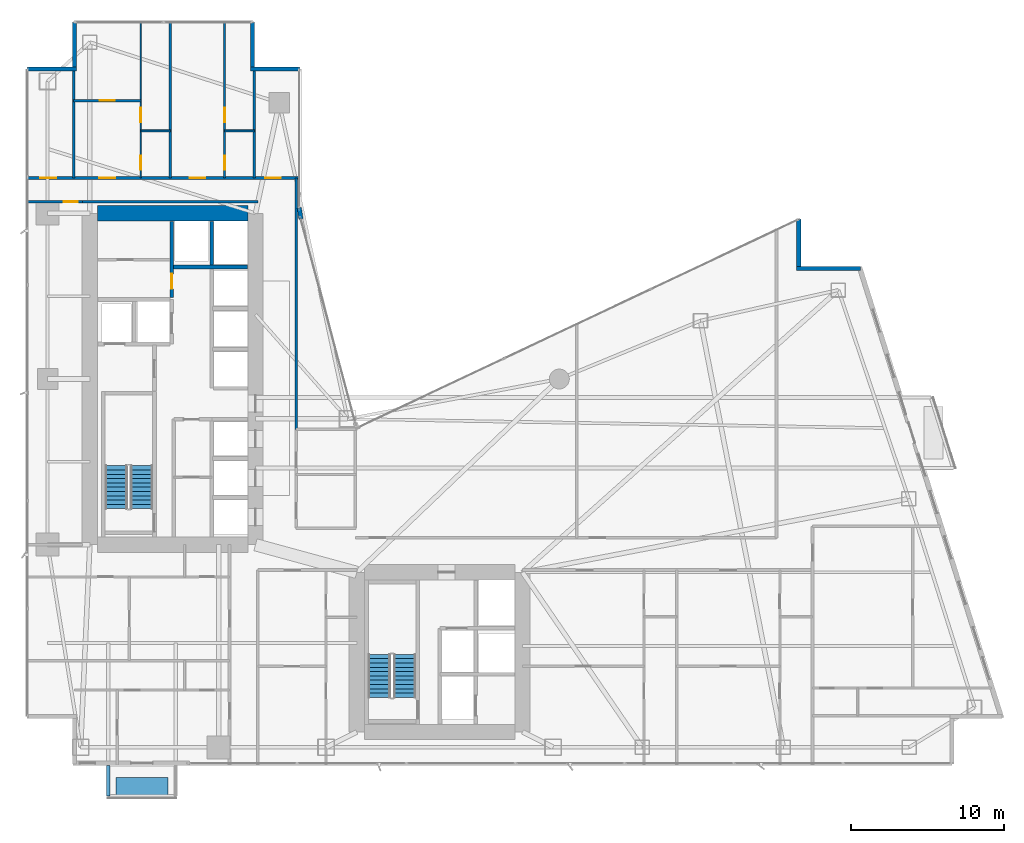
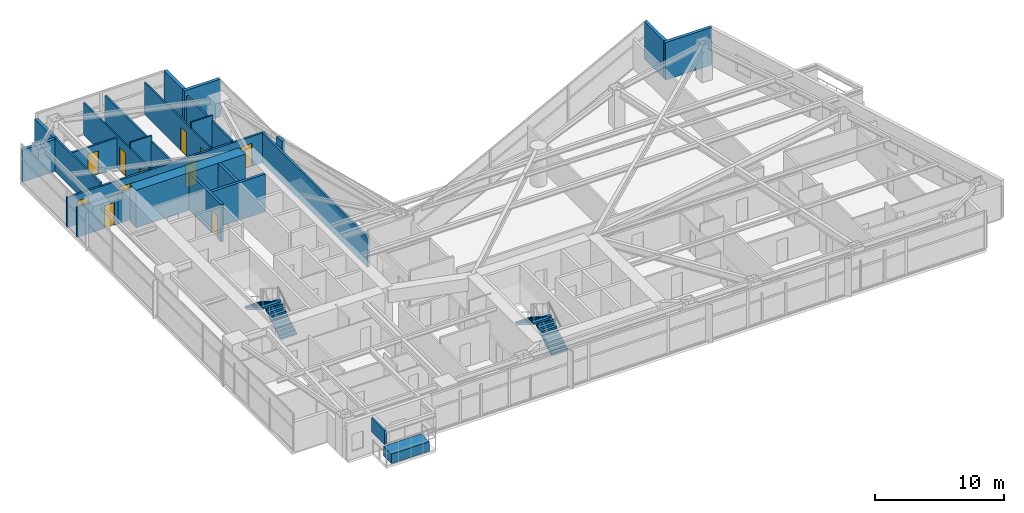
# One storey, part 25 of 29: 23 walls, 11 doors, 4 stair flights, 2 discrete accessories, 11 openings, 2 elements without a shape of their own.
"""IFC4 building model written with IfcOpenShell, lengths in metres."""

from ifc_helpers import new_model, si_unit, direction, frame, frame_2d, origin, origin_2d, place, context, subcontext, project, spatial, polyline, rectangle, outline, extrude, material, layer, layer_set, type_object, element, fill, aggregate, save


model = new_model("IFC4")

# Units and contexts
model_context = context("Model", 3, precision=1e-05, world=origin(), true_north=direction((0.0, 1.0)))
body_context = subcontext(model_context, "Body", "Model", "MODEL_VIEW")
ifc_project = project(units=[si_unit("LENGTHUNIT", "METRE"), si_unit("AREAUNIT", "SQUARE_METRE"), si_unit("VOLUMEUNIT", "CUBIC_METRE"), si_unit("PLANEANGLEUNIT", "RADIAN"), si_unit("MASSUNIT", "GRAM", prefix="KILO")], contexts=[model_context])

# Site, building, storey
site_placement = place(None, origin())
site = spatial("IfcSite", under=ifc_project, at=site_placement, CompositionType="ELEMENT")
building_placement = place(site_placement, origin())
building = spatial("IfcBuilding", under=site, at=building_placement, Name="Calvorn Quay Hotel", CompositionType="ELEMENT")
storey_placement = place(building_placement, frame((0.0, 0.0, 66.0)))
storey = spatial("IfcBuildingStorey", under=building, at=storey_placement, Name="L15", CompositionType="ELEMENT", Elevation=66.0)

# Wall
ifc_material_1 = material(Name="Concrete C60", Category="concrete")
ifc_layer_1 = layer(ifc_material_1, 1.0)
ifc_layer_set_1 = layer_set([ifc_layer_1], Name="WL-CORE-1000")
wall_type_1 = type_object("IfcWallType", Name="WL-CORE-1000", PredefinedType="SHEAR", material=ifc_layer_set_1)
wall_1_placement = place(storey_placement, frame((4.699951171875, 38.39990234375, 0.0), z_axis=(0.0, 0.0, 1.0), x_axis=(1.0, 0.0, 0.0)))
element("IfcWall", 1, at=wall_1_placement, inside=storey, type_object=wall_type_1, Name="West Core Shear Wall N (L15)", PredefinedType="SHEAR", context=body_context, shape_type="SweptSolid", body=[
    extrude(rectangle(XDim=9.800048828125, YDim=1.0, at=frame_2d((4.89990234375, 0.0))), origin(), (0.0, 0.0, 1.0), 3.56005859375),
])

# Wall, opening, door
ifc_material_2 = material(Name="Acoustic Fireboard Steel-Stud Partition", Category="steel")
ifc_layer_2 = layer(ifc_material_2, 0.179931640625)
ifc_layer_set_2 = layer_set([ifc_layer_2], Name="WL-CORR-FIRE-180")
wall_type_2 = type_object("IfcWallType", Name="WL-CORR-FIRE-180", PredefinedType="PARTITIONING", material=ifc_layer_set_2)
wall_2_placement = place(storey_placement, frame((0.080078125, 39.14990234375, 0.0), z_axis=(0.0, 0.0, 1.0), x_axis=(1.0, 0.0, 0.0)))
wall_2 = element("IfcWall", 2, at=wall_2_placement, inside=storey, type_object=wall_type_2, Name="Partition Wall L15-WL-WBAY-N-DOOR", PredefinedType="PARTITIONING", context=body_context, shape_type="SweptSolid", body=[
    extrude(rectangle(XDim=3.64990234375, YDim=0.179931640625, at=frame_2d((1.824951171875, 0.0))), origin(), (0.0, 0.0, 1.0), 2.840087890625),
])
opening_1_placement = place(wall_2_placement, frame((2.429931640625, 0.0, 0.0)))
opening_1 = element("IfcOpeningElement", 3, at=opening_1_placement, cuts=wall_2, Name="Opening D-L15-WBN", PredefinedType="OPENING", context=body_context, shape_type="SweptSolid", body=[
    extrude(rectangle(XDim=0.89990234375, YDim=2.14990234375, at=frame_2d((0.449951171875, 1.074951171875))), frame((0.0, 0.099853515625, 0.0), z_axis=(0.0, -1.0, 0.0), x_axis=(1.0, 0.0, 0.0)), (0.0, 0.0, 1.0), 0.199951171875),
])
ifc_material_3 = material(Name="Moisture-Sealed Timber En-Suite Door", Category="wood")
door_type_1 = type_object("IfcDoorType", Name="DR-ENSUITE-900", OperationType="NOTDEFINED", PredefinedType="DOOR", material=ifc_material_3)
door_1_placement = place(opening_1_placement, origin())
door_1 = element("IfcDoor", 4, at=door_1_placement, inside=storey, type_object=door_type_1, Name="West North Bay Door (L15)", OperationType="SINGLE_SWING_LEFT", OverallHeight=2.14990234375, OverallWidth=0.89990234375, PredefinedType="DOOR", context=body_context, shape_type="SweptSolid", body=[
    extrude(rectangle(XDim=0.89990234375, YDim=2.14990234375, at=frame_2d((0.449951171875, 1.074951171875))), frame((0.0, 0.02490234375, 0.0), z_axis=(0.0, -1.0, 0.0), x_axis=(1.0, 0.0, 0.0)), (0.0, 0.0, 1.0), 0.050048828125),
])
fill(opening_1, door_1)

# Wall, openings, doors
wall_3_placement = place(storey_placement, frame((0.080078125, 40.699951171875, 0.0), z_axis=(0.0, 0.0, 1.0), x_axis=(1.0, 0.0, 0.0)))
wall_3 = element("IfcWall", 5, at=wall_3_placement, inside=storey, type_object=wall_type_2, Name="Partition Wall L15-WL-CORR-NW-N", PredefinedType="PARTITIONING", context=body_context, shape_type="SweptSolid", body=[
    extrude(rectangle(XDim=17.77001953125, YDim=0.179931640625, at=frame_2d((8.885009765625, 0.0))), origin(), (0.0, 0.0, 1.0), 2.840087890625),
])
opening_2_placement = place(wall_3_placement, frame((0.89990234375, 0.0, 0.0)))
opening_2 = element("IfcOpeningElement", 6, at=opening_2_placement, cuts=wall_3, Name="Opening D-L15-NWW", PredefinedType="OPENING", context=body_context, shape_type="SweptSolid", body=[
    extrude(rectangle(XDim=1.02001953125, YDim=2.199951171875, at=frame_2d((0.510009765625, 1.10009765625))), frame((0.0, 0.099853515625, 0.0), z_axis=(0.0, -1.0, 0.0), x_axis=(1.0, 0.0, 0.0)), (0.0, 0.0, 1.0), 0.199951171875),
])
opening_3_placement = place(wall_3_placement, frame((4.75, 0.0, 0.0)))
opening_3 = element("IfcOpeningElement", 7, at=opening_3_placement, cuts=wall_3, Name="Opening D-L15-U04", PredefinedType="OPENING", context=body_context, shape_type="SweptSolid", body=[
    extrude(rectangle(XDim=1.02001953125, YDim=2.199951171875, at=frame_2d((0.510009765625, 1.10009765625))), frame((0.0, 0.099853515625, 0.0), z_axis=(0.0, -1.0, 0.0), x_axis=(1.0, 0.0, 0.0)), (0.0, 0.0, 1.0), 0.199951171875),
])
opening_4_placement = place(wall_3_placement, frame((10.6298828125, 0.0, 0.0)))
opening_4 = element("IfcOpeningElement", 8, at=opening_4_placement, cuts=wall_3, Name="Opening D-L15-U05", PredefinedType="OPENING", context=body_context, shape_type="SweptSolid", body=[
    extrude(rectangle(XDim=1.02001953125, YDim=2.199951171875, at=frame_2d((0.510009765625, 1.10009765625))), frame((0.0, 0.099853515625, 0.0), z_axis=(0.0, -1.0, 0.0), x_axis=(1.0, 0.0, 0.0)), (0.0, 0.0, 1.0), 0.199951171875),
])
opening_5_placement = place(wall_3_placement, frame((15.550048828125, 0.0, 0.0)))
opening_5 = element("IfcOpeningElement", 9, at=opening_5_placement, cuts=wall_3, Name="Opening D-L15-NWE", PredefinedType="OPENING", context=body_context, shape_type="SweptSolid", body=[
    extrude(rectangle(XDim=1.02001953125, YDim=2.199951171875, at=frame_2d((0.510009765625, 1.10009765625))), frame((0.0, 0.099853515625, 0.0), z_axis=(0.0, -1.0, 0.0), x_axis=(1.0, 0.0, 0.0)), (0.0, 0.0, 1.0), 0.199951171875),
])
ifc_material_4 = material(Name="Solid-Core Walnut Veneer Hotel Fire Door")
door_type_2 = type_object("IfcDoorType", Name="DR-GUEST-ENTRY-1020", OperationType="NOTDEFINED", PredefinedType="DOOR", material=ifc_material_4)
door_2_placement = place(opening_2_placement, origin())
door_2 = element("IfcDoor", 10, at=door_2_placement, inside=storey, type_object=door_type_2, Name="West Corner Study Door (L15)", OperationType="SINGLE_SWING_LEFT", OverallHeight=2.199951171875, OverallWidth=1.02001953125, PredefinedType="DOOR", context=body_context, shape_type="SweptSolid", body=[
    extrude(rectangle(XDim=1.02001953125, YDim=2.199951171875, at=frame_2d((0.510009765625, 1.10009765625))), frame((0.0, 0.02490234375, 0.0), z_axis=(0.0, -1.0, 0.0), x_axis=(1.0, 0.0, 0.0)), (0.0, 0.0, 1.0), 0.050048828125),
])
fill(opening_2, door_2)
door_3_placement = place(opening_3_placement, origin())
door_3 = element("IfcDoor", 11, at=door_3_placement, inside=storey, type_object=door_type_2, Name="North-West Unit Door U04 (L15)", OperationType="SINGLE_SWING_RIGHT", OverallHeight=2.199951171875, OverallWidth=1.02001953125, PredefinedType="DOOR", context=body_context, shape_type="SweptSolid", body=[
    extrude(rectangle(XDim=1.02001953125, YDim=2.199951171875, at=frame_2d((0.510009765625, 1.10009765625))), frame((0.0, 0.02490234375, 0.0), z_axis=(0.0, -1.0, 0.0), x_axis=(1.0, 0.0, 0.0)), (0.0, 0.0, 1.0), 0.050048828125),
])
fill(opening_3, door_3)
door_4_placement = place(opening_4_placement, origin())
door_4 = element("IfcDoor", 12, at=door_4_placement, inside=storey, type_object=door_type_2, Name="North-West Unit Door U05 (L15)", OperationType="SINGLE_SWING_LEFT", OverallHeight=2.199951171875, OverallWidth=1.02001953125, PredefinedType="DOOR", context=body_context, shape_type="SweptSolid", body=[
    extrude(rectangle(XDim=1.02001953125, YDim=2.199951171875, at=frame_2d((0.510009765625, 1.10009765625))), frame((0.0, 0.02490234375, 0.0), z_axis=(0.0, -1.0, 0.0), x_axis=(1.0, 0.0, 0.0)), (0.0, 0.0, 1.0), 0.050048828125),
])
fill(opening_4, door_4)
door_5_placement = place(opening_5_placement, origin())
door_5 = element("IfcDoor", 13, at=door_5_placement, inside=storey, type_object=door_type_2, Name="Inner Court Study Door (L15)", OperationType="SINGLE_SWING_RIGHT", OverallHeight=2.199951171875, OverallWidth=1.02001953125, PredefinedType="DOOR", context=body_context, shape_type="SweptSolid", body=[
    extrude(rectangle(XDim=1.02001953125, YDim=2.199951171875, at=frame_2d((0.510009765625, 1.10009765625))), frame((0.0, 0.02490234375, 0.0), z_axis=(0.0, -1.0, 0.0), x_axis=(1.0, 0.0, 0.0)), (0.0, 0.0, 1.0), 0.050048828125),
])
fill(opening_5, door_5)

# Walls
wall_4_placement = place(storey_placement, frame((17.64990234375, 24.300048828125, 0.0), z_axis=(0.0, 0.0, 1.0), x_axis=(0.0, 1.0, 0.0)))
element("IfcWall", 14, at=wall_4_placement, inside=storey, type_object=wall_type_2, Name="Partition Wall L15-WL-NW-CLOSURE-E", PredefinedType="PARTITIONING", context=body_context, shape_type="SweptSolid", body=[
    extrude(rectangle(XDim=16.39990234375, YDim=0.179931640625, at=frame_2d((8.199951171875, 0.0))), origin(), (0.0, 0.0, 1.0), 2.840087890625),
])
wall_5_placement = place(storey_placement, frame((3.679931640625, 39.14990234375, 0.0), z_axis=(0.0, 0.0, 1.0), x_axis=(1.0, 0.0, 0.0)))
element("IfcWall", 15, at=wall_5_placement, inside=storey, type_object=wall_type_2, Name="Partition Wall L15-WL-W-SPUR-S", PredefinedType="PARTITIONING", context=body_context, shape_type="SweptSolid", body=[
    extrude(rectangle(XDim=11.469970703125, YDim=0.179931640625, at=frame_2d((5.73486328125, 0.0))), origin(), (0.0, 0.0, 1.0), 2.840087890625),
])
ifc_material_5 = material(Name="Moisture-Resistant Tile-Backed Partition")
ifc_layer_3 = layer(ifc_material_5, 0.125)
ifc_layer_set_3 = layer_set([ifc_layer_3], Name="WL-ENSUITE-125")
wall_type_3 = type_object("IfcWallType", Name="WL-ENSUITE-125", PredefinedType="PARTITIONING", material=ifc_layer_set_3)
wall_6_placement = place(storey_placement, frame((7.52001953125, 43.77001953125, 0.0), z_axis=(0.0, 0.0, 1.0), x_axis=(1.0, 0.0, 0.0)))
element("IfcWall", 16, at=wall_6_placement, inside=storey, type_object=wall_type_3, Name="Partition Wall L15-WL-U04-BDV", PredefinedType="PARTITIONING", context=body_context, shape_type="SweptSolid", body=[
    extrude(rectangle(XDim=1.929931640625, YDim=0.125, at=frame_2d((0.96484375, 0.0))), origin(), (0.0, 0.0, 1.0), 3.56005859375),
])

# Wall, openings, doors
wall_7_placement = place(storey_placement, frame((7.52001953125, 40.699951171875, 0.0), z_axis=(0.0, 0.0, 1.0), x_axis=(0.0, 1.0, 0.0)))
wall_7 = element("IfcWall", 17, at=wall_7_placement, inside=storey, type_object=wall_type_3, Name="Partition Wall L15-WL-U04-BV", PredefinedType="PARTITIONING", context=body_context, shape_type="SweptSolid", body=[
    extrude(rectangle(XDim=10.239990234375, YDim=0.125, at=frame_2d((5.1201171875, 0.0))), origin(), (0.0, 0.0, 1.0), 3.0400390625),
])
opening_6_placement = place(wall_7_placement, frame((0.550048828125, 0.0, 0.0)))
opening_6 = element("IfcOpeningElement", 18, at=opening_6_placement, cuts=wall_7, Name="Opening D-L15-E04", PredefinedType="OPENING", context=body_context, shape_type="SweptSolid", body=[
    extrude(rectangle(XDim=0.89990234375, YDim=2.14990234375, at=frame_2d((0.449951171875, 1.074951171875))), frame((0.0, 0.072509765625, 0.0), z_axis=(0.0, -1.0, 0.0), x_axis=(1.0, 0.0, 0.0)), (0.0, 0.0, 1.0), 0.14501953125),
])
opening_7_placement = place(wall_7_placement, frame((3.6201171875, 0.0, 0.0)))
opening_7 = element("IfcOpeningElement", 19, at=opening_7_placement, cuts=wall_7, Name="Opening D-L15-S04", PredefinedType="OPENING", context=body_context, shape_type="SweptSolid", body=[
    extrude(rectangle(XDim=0.9599609375, YDim=2.199951171875, at=frame_2d((0.47998046875, 1.10009765625))), frame((0.0, 0.072509765625, 0.0), z_axis=(0.0, -1.0, 0.0), x_axis=(1.0, 0.0, 0.0)), (0.0, 0.0, 1.0), 0.14501953125),
])
door_6_placement = place(opening_6_placement, origin())
door_6 = element("IfcDoor", 20, at=door_6_placement, inside=storey, type_object=door_type_1, Name="En-Suite Door 04", OperationType="SINGLE_SWING_LEFT", OverallHeight=2.14990234375, OverallWidth=0.89990234375, PredefinedType="DOOR", context=body_context, shape_type="SweptSolid", body=[
    extrude(rectangle(XDim=0.89990234375, YDim=2.14990234375, at=frame_2d((0.449951171875, 1.074951171875))), frame((0.0, 0.02490234375, 0.0), z_axis=(0.0, -1.0, 0.0), x_axis=(1.0, 0.0, 0.0)), (0.0, 0.0, 1.0), 0.050048828125),
])
fill(opening_6, door_6)
ifc_material_6 = material(Name="Solid Timber Internal Suite Door", Category="wood")
door_type_3 = type_object("IfcDoorType", Name="DR-SUITE-INT-960", OperationType="NOTDEFINED", PredefinedType="DOOR", material=ifc_material_6)
door_7_placement = place(opening_7_placement, origin())
door_7 = element("IfcDoor", 21, at=door_7_placement, inside=storey, type_object=door_type_3, Name="Spa Therapy Room Door 04", OperationType="SINGLE_SWING_RIGHT", OverallHeight=2.199951171875, OverallWidth=0.9599609375, PredefinedType="DOOR", context=body_context, shape_type="SweptSolid", body=[
    extrude(rectangle(XDim=0.9599609375, YDim=2.199951171875, at=frame_2d((0.47998046875, 1.10009765625))), frame((0.0, 0.02490234375, 0.0), z_axis=(0.0, -1.0, 0.0), x_axis=(1.0, 0.0, 0.0)), (0.0, 0.0, 1.0), 0.050048828125),
])
fill(opening_7, door_7)

# Wall
wall_8_placement = place(storey_placement, frame((12.989990234375, 43.77001953125, 0.0), z_axis=(0.0, 0.0, 1.0), x_axis=(1.0, 0.0, 0.0)))
element("IfcWall", 22, at=wall_8_placement, inside=storey, type_object=wall_type_3, Name="Partition Wall L15-WL-U05-BDV", PredefinedType="PARTITIONING", context=body_context, shape_type="SweptSolid", body=[
    extrude(rectangle(XDim=1.929931640625, YDim=0.125, at=frame_2d((0.96484375, 0.0))), origin(), (0.0, 0.0, 1.0), 3.56005859375),
])

# Wall, openings, doors
wall_9_placement = place(storey_placement, frame((12.989990234375, 40.699951171875, 0.0), z_axis=(0.0, 0.0, 1.0), x_axis=(0.0, 1.0, 0.0)))
wall_9 = element("IfcWall", 23, at=wall_9_placement, inside=storey, type_object=wall_type_3, Name="Partition Wall L15-WL-U05-BV", PredefinedType="PARTITIONING", context=body_context, shape_type="SweptSolid", body=[
    extrude(rectangle(XDim=10.239990234375, YDim=0.125, at=frame_2d((5.1201171875, 0.0))), origin(), (0.0, 0.0, 1.0), 3.0400390625),
])
opening_8_placement = place(wall_9_placement, frame((0.550048828125, 0.0, 0.0)))
opening_8 = element("IfcOpeningElement", 24, at=opening_8_placement, cuts=wall_9, Name="Opening D-L15-E05", PredefinedType="OPENING", context=body_context, shape_type="SweptSolid", body=[
    extrude(rectangle(XDim=0.89990234375, YDim=2.14990234375, at=frame_2d((0.449951171875, 1.074951171875))), frame((0.0, 0.072509765625, 0.0), z_axis=(0.0, -1.0, 0.0), x_axis=(1.0, 0.0, 0.0)), (0.0, 0.0, 1.0), 0.14501953125),
])
opening_9_placement = place(wall_9_placement, frame((3.6201171875, 0.0, 0.0)))
opening_9 = element("IfcOpeningElement", 25, at=opening_9_placement, cuts=wall_9, Name="Opening D-L15-S05", PredefinedType="OPENING", context=body_context, shape_type="SweptSolid", body=[
    extrude(rectangle(XDim=0.9599609375, YDim=2.199951171875, at=frame_2d((0.47998046875, 1.10009765625))), frame((0.0, 0.072509765625, 0.0), z_axis=(0.0, -1.0, 0.0), x_axis=(1.0, 0.0, 0.0)), (0.0, 0.0, 1.0), 0.14501953125),
])
door_8_placement = place(opening_8_placement, origin())
door_8 = element("IfcDoor", 26, at=door_8_placement, inside=storey, type_object=door_type_1, Name="En-Suite Door 05", OperationType="SINGLE_SWING_LEFT", OverallHeight=2.14990234375, OverallWidth=0.89990234375, PredefinedType="DOOR", context=body_context, shape_type="SweptSolid", body=[
    extrude(rectangle(XDim=0.89990234375, YDim=2.14990234375, at=frame_2d((0.449951171875, 1.074951171875))), frame((0.0, 0.02490234375, 0.0), z_axis=(0.0, -1.0, 0.0), x_axis=(1.0, 0.0, 0.0)), (0.0, 0.0, 1.0), 0.050048828125),
])
fill(opening_8, door_8)
door_9_placement = place(opening_9_placement, origin())
door_9 = element("IfcDoor", 27, at=door_9_placement, inside=storey, type_object=door_type_3, Name="Spa Therapy Room Door 05", OperationType="SINGLE_SWING_RIGHT", OverallHeight=2.199951171875, OverallWidth=0.9599609375, PredefinedType="DOOR", context=body_context, shape_type="SweptSolid", body=[
    extrude(rectangle(XDim=0.9599609375, YDim=2.199951171875, at=frame_2d((0.47998046875, 1.10009765625))), frame((0.0, 0.02490234375, 0.0), z_axis=(0.0, -1.0, 0.0), x_axis=(1.0, 0.0, 0.0)), (0.0, 0.0, 1.0), 0.050048828125),
])
fill(opening_9, door_9)

# Walls
ifc_material_7 = material(Name="Concrete C40", Category="concrete")
ifc_layer_4 = layer(ifc_material_7, 0.320068359375)
ifc_layer_set_4 = layer_set([ifc_layer_4], Name="WL-EXT-SPANDREL-320")
wall_type_4 = type_object("IfcWallType", Name="WL-EXT-SPANDREL-320", PredefinedType="SOLIDWALL", material=ifc_layer_set_4)
wall_10_placement = place(storey_placement, frame((17.9619140625, 38.030029296875, 0.0), z_axis=(0.0, 0.0, 1.0), x_axis=(-0.15141125477, 0.988470855377, 0.0)))
element("IfcWall", 28, at=wall_10_placement, inside=storey, type_object=wall_type_4, Name="Inner Court Corner Pier L15-ICJ2", PredefinedType="SOLIDWALL", context=body_context, shape_type="SweptSolid", body=[
    extrude(rectangle(XDim=0.738525390625, YDim=0.280029296875, at=frame_2d((0.369140625, 0.0))), origin(), (0.0, 0.0, 1.0), 3.56005859375),
])
wall_11_placement = place(storey_placement, frame((54.43994140625, 34.800048828125, 0.0), z_axis=(0.0, 0.0, 1.0), x_axis=(-1.0, 0.0, 0.0)))
element("IfcWall", 29, at=wall_11_placement, inside=storey, type_object=wall_type_4, Name="Notched Corner Spandrel L15-NE1", PredefinedType="SOLIDWALL", context=body_context, shape_type="SweptSolid", body=[
    extrude(rectangle(XDim=4.179931640625, YDim=0.280029296875, at=frame_2d((2.08984375, 0.0))), origin(), (0.0, 0.0, 1.0), 3.56005859375),
])
wall_12_placement = place(storey_placement, frame((50.39990234375, 34.93994140625, 0.0), z_axis=(0.0, 0.0, 1.0), x_axis=(0.0, 1.0, 0.0)))
element("IfcWall", 30, at=wall_12_placement, inside=storey, type_object=wall_type_4, Name="Notched Corner Spandrel L15-NE2", PredefinedType="SOLIDWALL", context=body_context, shape_type="SweptSolid", body=[
    extrude(rectangle(XDim=3.10009765625, YDim=0.280029296875, at=frame_2d((1.550048828125, 0.0))), origin(), (0.0, 0.0, 1.0), 3.56005859375),
])
wall_13_placement = place(storey_placement, frame((17.89990234375, 47.800048828125, 0.0), z_axis=(0.0, 0.0, 1.0), x_axis=(-1.0, 0.0, 0.0)))
element("IfcWall", 31, at=wall_13_placement, inside=storey, type_object=wall_type_4, Name="Notched Corner Spandrel L15-NWE1", PredefinedType="SOLIDWALL", context=body_context, shape_type="SweptSolid", body=[
    extrude(rectangle(XDim=3.239990234375, YDim=0.280029296875, at=frame_2d((1.6201171875, 0.0))), origin(), (0.0, 0.0, 1.0), 3.56005859375),
])
wall_14_placement = place(storey_placement, frame((14.800048828125, 47.93994140625, 0.0), z_axis=(0.0, 0.0, 1.0), x_axis=(0.0, 1.0, 0.0)))
element("IfcWall", 32, at=wall_14_placement, inside=storey, type_object=wall_type_4, Name="Notched Corner Spandrel L15-NWE2", PredefinedType="SOLIDWALL", context=body_context, shape_type="SweptSolid", body=[
    extrude(rectangle(XDim=2.93994140625, YDim=0.280029296875, at=frame_2d((1.469970703125, 0.0))), origin(), (0.0, 0.0, 1.0), 3.56005859375),
])
wall_15_placement = place(storey_placement, frame((3.199951171875, 50.8798828125, 0.0), z_axis=(0.0, 0.0, 1.0), x_axis=(0.0, -1.0, 0.0)))
element("IfcWall", 33, at=wall_15_placement, inside=storey, type_object=wall_type_4, Name="Notched Corner Spandrel L15-NW1", PredefinedType="SOLIDWALL", context=body_context, shape_type="SweptSolid", body=[
    extrude(rectangle(XDim=2.93994140625, YDim=0.280029296875, at=frame_2d((1.469970703125, 0.0))), origin(), (0.0, 0.0, 1.0), 3.0400390625),
])
wall_16_placement = place(storey_placement, frame((3.340087890625, 47.800048828125, 0.0), z_axis=(0.0, 0.0, 1.0), x_axis=(-1.0, 0.0, 0.0)))
element("IfcWall", 34, at=wall_16_placement, inside=storey, type_object=wall_type_4, Name="Notched Corner Spandrel L15-NW2", PredefinedType="SOLIDWALL", context=body_context, shape_type="SweptSolid", body=[
    extrude(rectangle(XDim=3.219970703125, YDim=0.280029296875, at=frame_2d((1.60986328125, 0.0))), origin(), (0.0, 0.0, 1.0), 3.0400390625),
])
ifc_material_8 = material(Name="Double-Stud Acoustic Gypsum Partition")
ifc_layer_5 = layer(ifc_material_8, 0.159912109375)
ifc_layer_set_5 = layer_set([ifc_layer_5], Name="WL-INTERSUITE-160")
wall_type_5 = type_object("IfcWallType", Name="WL-INTERSUITE-160", PredefinedType="PARTITIONING", material=ifc_layer_set_5)
wall_17_placement = place(storey_placement, frame((3.14990234375, 40.699951171875, 0.0), z_axis=(0.0, 0.0, 1.0), x_axis=(0.0, 1.0, 0.0)))
element("IfcWall", 35, at=wall_17_placement, inside=storey, type_object=wall_type_5, Name="Partition Wall L15-WL-NW-DIV-W0", PredefinedType="PARTITIONING", context=body_context, shape_type="SweptSolid", body=[
    extrude(rectangle(XDim=7.10009765625, YDim=0.159912109375, at=frame_2d((3.550048828125, 0.0))), origin(), (0.0, 0.0, 1.0), 3.139892578125),
])
wall_18_placement = place(storey_placement, frame((14.919921875, 40.699951171875, 0.0), z_axis=(0.0, 0.0, 1.0), x_axis=(0.0, 1.0, 0.0)))
element("IfcWall", 36, at=wall_18_placement, inside=storey, type_object=wall_type_5, Name="Partition Wall L15-WL-NW-DIV-E0", PredefinedType="PARTITIONING", context=body_context, shape_type="SweptSolid", body=[
    extrude(rectangle(XDim=7.10009765625, YDim=0.159912109375, at=frame_2d((3.550048828125, 0.0))), origin(), (0.0, 0.0, 1.0), 3.0400390625),
])

# Wall, opening, door
wall_19_placement = place(storey_placement, frame((3.14990234375, 45.75, 0.0), z_axis=(0.0, 0.0, 1.0), x_axis=(1.0, 0.0, 0.0)))
wall_19 = element("IfcWall", 37, at=wall_19_placement, inside=storey, type_object=wall_type_5, Name="Partition Wall L15-WL-U04-MSP", PredefinedType="PARTITIONING", context=body_context, shape_type="SweptSolid", body=[
    extrude(rectangle(XDim=4.3701171875, YDim=0.159912109375, at=frame_2d((2.18505859375, 0.0))), origin(), (0.0, 0.0, 1.0), 2.840087890625),
])
opening_10_placement = place(wall_19_placement, frame((1.699951171875, 0.0, 0.0)))
opening_10 = element("IfcOpeningElement", 38, at=opening_10_placement, cuts=wall_19, Name="Opening D-L15-M04", PredefinedType="OPENING", context=body_context, shape_type="SweptSolid", body=[
    extrude(rectangle(XDim=0.9599609375, YDim=2.199951171875, at=frame_2d((0.47998046875, 1.10009765625))), frame((0.0, 0.08984375, 0.0), z_axis=(0.0, -1.0, 0.0), x_axis=(1.0, 0.0, 0.0)), (0.0, 0.0, 1.0), 0.179931640625),
])
door_10_placement = place(opening_10_placement, origin())
door_10 = element("IfcDoor", 39, at=door_10_placement, inside=storey, type_object=door_type_3, Name="Suite Bedroom Door 04", OperationType="SINGLE_SWING_LEFT", OverallHeight=2.199951171875, OverallWidth=0.9599609375, PredefinedType="DOOR", context=body_context, shape_type="SweptSolid", body=[
    extrude(rectangle(XDim=0.9599609375, YDim=2.199951171875, at=frame_2d((0.47998046875, 1.10009765625))), frame((0.0, 0.02490234375, 0.0), z_axis=(0.0, -1.0, 0.0), x_axis=(1.0, 0.0, 0.0)), (0.0, 0.0, 1.0), 0.050048828125),
])
fill(opening_10, door_10)

# Wall
wall_20_placement = place(storey_placement, frame((9.449951171875, 40.699951171875, 0.0), z_axis=(0.0, 0.0, 1.0), x_axis=(0.0, 1.0, 0.0)))
element("IfcWall", 40, at=wall_20_placement, inside=storey, type_object=wall_type_5, Name="Partition Wall L15-WL-NW-DIV-1", PredefinedType="PARTITIONING", context=body_context, shape_type="SweptSolid", body=[
    extrude(rectangle(XDim=10.239990234375, YDim=0.159912109375, at=frame_2d((5.1201171875, 0.0))), origin(), (0.0, 0.0, 1.0), 3.0400390625),
])

# Wall, opening, door
ifc_material_9 = material(Name="Autoclaved Aerated Masonry Block", Category="masonry")
ifc_layer_6 = layer(ifc_material_9, 0.219970703125)
ifc_layer_set_6 = layer_set([ifc_layer_6], Name="WL-LOBBY-FIRE-220")
wall_type_6 = type_object("IfcWallType", Name="WL-LOBBY-FIRE-220", PredefinedType="SOLIDWALL", material=ifc_layer_set_6)
wall_21_placement = place(storey_placement, frame((9.5400390625, 32.919921875, 0.0), z_axis=(0.0, 0.0, 1.0), x_axis=(0.0, 1.0, 0.0)))
wall_21 = element("IfcWall", 41, at=wall_21_placement, inside=storey, type_object=wall_type_6, Name="Partition Wall L15-WL-CWW-K-E", PredefinedType="SOLIDWALL", context=body_context, shape_type="SweptSolid", body=[
    extrude(rectangle(XDim=4.9599609375, YDim=0.219970703125, at=frame_2d((2.47998046875, 0.0))), origin(), (0.0, 0.0, 1.0), 3.56005859375),
])
opening_11_placement = place(wall_21_placement, frame((0.550048828125, 0.0, 0.0)))
opening_11 = element("IfcOpeningElement", 42, at=opening_11_placement, cuts=wall_21, Name="Opening D-L15-CK1", PredefinedType="OPENING", context=body_context, shape_type="SweptSolid", body=[
    extrude(rectangle(XDim=0.97998046875, YDim=2.14990234375, at=frame_2d((0.489990234375, 1.074951171875))), frame((0.0, 0.119873046875, 0.0), z_axis=(0.0, -1.0, 0.0), x_axis=(1.0, 0.0, 0.0)), (0.0, 0.0, 1.0), 0.239990234375),
])
ifc_material_10 = material(Name="Painted Steel Housekeeping/Riser Fire Door", Category="steel")
door_type_4 = type_object("IfcDoorType", Name="DR-SERVICE-980", OperationType="NOTDEFINED", PredefinedType="DOOR", material=ifc_material_10)
door_11_placement = place(opening_11_placement, origin())
door_11 = element("IfcDoor", 43, at=door_11_placement, inside=storey, type_object=door_type_4, Name="Core Housekeeping Door (L15)", OperationType="SINGLE_SWING_LEFT", OverallHeight=2.14990234375, OverallWidth=0.97998046875, PredefinedType="DOOR", context=body_context, shape_type="SweptSolid", body=[
    extrude(rectangle(XDim=0.97998046875, YDim=2.14990234375, at=frame_2d((0.489990234375, 1.074951171875))), frame((0.0, 0.02490234375, 0.0), z_axis=(0.0, -1.0, 0.0), x_axis=(1.0, 0.0, 0.0)), (0.0, 0.0, 1.0), 0.050048828125),
])
fill(opening_11, door_11)

# Walls
ifc_material_11 = material(Name="Concrete C40", Category="concrete")
ifc_layer_7 = layer(ifc_material_11, 0.239990234375)
ifc_layer_set_7 = layer_set([ifc_layer_7], Name="WL-SHAFT-240")
wall_type_7 = type_object("IfcWallType", Name="WL-SHAFT-240", PredefinedType="SOLIDWALL", material=ifc_layer_set_7)
wall_22_placement = place(storey_placement, frame((9.659912109375, 34.89990234375, 0.0), z_axis=(0.0, 0.0, 1.0), x_axis=(1.0, 0.0, 0.0)))
element("IfcWall", 44, at=wall_22_placement, inside=storey, type_object=wall_type_7, Name="Partition Wall L15-WL-CWW-PLH-S", PredefinedType="SOLIDWALL", context=body_context, shape_type="SweptSolid", body=[
    extrude(rectangle(XDim=4.820068359375, YDim=0.239990234375, at=frame_2d((2.41015625, 0.0))), origin(), (0.0, 0.0, 1.0), 3.56005859375),
])
wall_23_placement = place(storey_placement, frame((12.14990234375, 35.02001953125, 0.0), z_axis=(0.0, 0.0, 1.0), x_axis=(0.0, 1.0, 0.0)))
element("IfcWall", 45, at=wall_23_placement, inside=storey, type_object=wall_type_7, Name="Partition Wall L15-WL-CWW-PLH-DIV", PredefinedType="SOLIDWALL", context=body_context, shape_type="SweptSolid", body=[
    extrude(rectangle(XDim=2.85986328125, YDim=0.239990234375, at=frame_2d((1.429931640625, 0.0))), origin(), (0.0, 0.0, 1.0), 3.56005859375),
])

# Stair, stair flights
ifc_material_12 = material(Name="Concrete C40", Category="concrete")
stair_type = type_object("IfcStairType", Name="STR-CORE-DOGLEG", PredefinedType="HALF_TURN_STAIR", material=ifc_material_12)
stair_1_placement = place(storey_placement, origin())
stair_1 = element("IfcStair", 46, at=stair_1_placement, inside=storey, type_object=stair_type, Name="L15 ST-W", PredefinedType="HALF_TURN_STAIR")
ifc_material_13 = material(Name="Concrete C40", Category="concrete")
stair_flight_type = type_object("IfcStairFlightType", Name="FLT-CORE-1550", PredefinedType="STRAIGHT", material=ifc_material_13)
stair_flight_1_placement = place(storey_placement, frame((7.574951171875, 19.14990234375, 0.0), z_axis=(0.0, 0.0, 1.0), x_axis=(0.0, 1.0, 0.0)))
stair_flight_1 = element("IfcStairFlight", 47, at=stair_flight_1_placement, type_object=stair_flight_type, Name="ST-W flight 1", NumberOfRisers=11, NumberOfTreads=10, PredefinedType="STRAIGHT", RiserHeight=0.172727273, TreadLength=0.28, context=body_context, shape_type="SweptSolid", body=[
    extrude(outline(polyline([(0.0, 0.0), (0.0, 0.172607421875), (0.280029296875, 0.172607421875), (0.280029296875, 0.345458984375), (0.56005859375, 0.345458984375), (0.56005859375, 0.51806640625), (0.840087890625, 0.51806640625), (0.840087890625, 0.69091796875), (1.1201171875, 0.69091796875), (1.1201171875, 0.863525390625), (1.39990234375, 0.863525390625), (1.39990234375, 1.036376953125), (1.679931640625, 1.036376953125), (1.679931640625, 1.208984375), (1.9599609375, 1.208984375), (1.9599609375, 1.3818359375), (2.239990234375, 1.3818359375), (2.239990234375, 1.554443359375), (2.52001953125, 1.554443359375), (2.52001953125, 1.727294921875), (2.800048828125, 1.727294921875), (2.800048828125, 1.89990234375), (2.800048828125, 1.551025390625), (0.285400390625, 0.0), (0.0, 0.0)])), frame((0.0, 0.72509765625, 0.0), z_axis=(0.0, -1.0, 0.0), x_axis=(1.0, 0.0, 0.0)), (0.0, 0.0, 1.0), 1.449951171875),
])
stair_flight_2_placement = place(storey_placement, frame((5.925048828125, 21.949951171875, 1.89990234375), z_axis=(0.0, 0.0, 1.0), x_axis=(0.0, -1.0, 0.0)))
stair_flight_2 = element("IfcStairFlight", 48, at=stair_flight_2_placement, type_object=stair_flight_type, Name="ST-W flight 2", NumberOfRisers=11, NumberOfTreads=10, PredefinedType="STRAIGHT", RiserHeight=0.172727273, TreadLength=0.28, context=body_context, shape_type="SweptSolid", body=[
    extrude(outline(polyline([(0.0, 0.0), (0.0, 0.172607421875), (0.280029296875, 0.172607421875), (0.280029296875, 0.345458984375), (0.56005859375, 0.345458984375), (0.56005859375, 0.51806640625), (0.840087890625, 0.51806640625), (0.840087890625, 0.69091796875), (1.1201171875, 0.69091796875), (1.1201171875, 0.863525390625), (1.39990234375, 0.863525390625), (1.39990234375, 1.036376953125), (1.679931640625, 1.036376953125), (1.679931640625, 1.208984375), (1.9599609375, 1.208984375), (1.9599609375, 1.3818359375), (2.239990234375, 1.3818359375), (2.239990234375, 1.554443359375), (2.52001953125, 1.554443359375), (2.52001953125, 1.727294921875), (2.800048828125, 1.727294921875), (2.800048828125, 1.89990234375), (2.800048828125, 1.551025390625), (0.285400390625, 0.0), (0.0, 0.0)])), frame((0.0, 0.72509765625, 0.0), z_axis=(0.0, -1.0, 0.0), x_axis=(1.0, 0.0, 0.0)), (0.0, 0.0, 1.0), 1.449951171875),
])
aggregate(stair_1, [stair_flight_1, stair_flight_2])

stair_2_placement = place(storey_placement, origin())
stair_2 = element("IfcStair", 49, at=stair_2_placement, inside=storey, type_object=stair_type, Name="L15 ST-E", PredefinedType="HALF_TURN_STAIR")
stair_flight_3_placement = place(storey_placement, frame((24.72509765625, 6.85009765625, 0.0), z_axis=(0.0, 0.0, 1.0), x_axis=(0.0, 1.0, 0.0)))
stair_flight_3 = element("IfcStairFlight", 50, at=stair_flight_3_placement, type_object=stair_flight_type, Name="ST-E flight 1", NumberOfRisers=11, NumberOfTreads=10, PredefinedType="STRAIGHT", RiserHeight=0.172727273, TreadLength=0.28, context=body_context, shape_type="SweptSolid", body=[
    extrude(outline(polyline([(0.0, 0.0), (0.0, 0.172607421875), (0.280029296875, 0.172607421875), (0.280029296875, 0.345458984375), (0.56005859375, 0.345458984375), (0.56005859375, 0.51806640625), (0.840087890625, 0.51806640625), (0.840087890625, 0.69091796875), (1.1201171875, 0.69091796875), (1.1201171875, 0.863525390625), (1.39990234375, 0.863525390625), (1.39990234375, 1.036376953125), (1.679931640625, 1.036376953125), (1.679931640625, 1.208984375), (1.9599609375, 1.208984375), (1.9599609375, 1.3818359375), (2.239990234375, 1.3818359375), (2.239990234375, 1.554443359375), (2.52001953125, 1.554443359375), (2.52001953125, 1.727294921875), (2.800048828125, 1.727294921875), (2.800048828125, 1.89990234375), (2.800048828125, 1.551025390625), (0.285400390625, 0.0), (0.0, 0.0)])), frame((0.0, 0.72509765625, 0.0), z_axis=(0.0, -1.0, 0.0), x_axis=(1.0, 0.0, 0.0)), (0.0, 0.0, 1.0), 1.449951171875),
])
stair_flight_4_placement = place(storey_placement, frame((23.074951171875, 9.64990234375, 1.89990234375), z_axis=(0.0, 0.0, 1.0), x_axis=(0.0, -1.0, 0.0)))
stair_flight_4 = element("IfcStairFlight", 51, at=stair_flight_4_placement, type_object=stair_flight_type, Name="ST-E flight 2", NumberOfRisers=11, NumberOfTreads=10, PredefinedType="STRAIGHT", RiserHeight=0.172727273, TreadLength=0.28, context=body_context, shape_type="SweptSolid", body=[
    extrude(outline(polyline([(0.0, 0.0), (0.0, 0.172607421875), (0.280029296875, 0.172607421875), (0.280029296875, 0.345458984375), (0.56005859375, 0.345458984375), (0.56005859375, 0.51806640625), (0.840087890625, 0.51806640625), (0.840087890625, 0.69091796875), (1.1201171875, 0.69091796875), (1.1201171875, 0.863525390625), (1.39990234375, 0.863525390625), (1.39990234375, 1.036376953125), (1.679931640625, 1.036376953125), (1.679931640625, 1.208984375), (1.9599609375, 1.208984375), (1.9599609375, 1.3818359375), (2.239990234375, 1.3818359375), (2.239990234375, 1.554443359375), (2.52001953125, 1.554443359375), (2.52001953125, 1.727294921875), (2.800048828125, 1.727294921875), (2.800048828125, 1.89990234375), (2.800048828125, 1.551025390625), (0.285400390625, 0.0), (0.0, 0.0)])), frame((0.0, 0.72509765625, 0.0), z_axis=(0.0, -1.0, 0.0), x_axis=(1.0, 0.0, 0.0)), (0.0, 0.0, 1.0), 1.449951171875),
])
aggregate(stair_2, [stair_flight_3, stair_flight_4])

# Discrete accessories
ifc_material_14 = material(Name="Steel Q355B", Category="steel")
discrete_accessory_type_1 = type_object("IfcDiscreteAccessoryType", Name="ACC-BALC-STRUT", PredefinedType="BRACKET", material=ifc_material_14)
discrete_accessory_1_placement = place(storey_placement, frame((5.39990234375, 1.405029296875, 2.01513671875), z_axis=(0.0, 0.0, 1.0), x_axis=(1.0, 0.0, 0.0)))
element("IfcDiscreteAccessory", 52, at=discrete_accessory_1_placement, inside=storey, type_object=discrete_accessory_type_1, Name="Exterior Balcony Steel Bracket L16-BALC-S-A", PredefinedType="BRACKET", context=body_context, shape_type="SweptSolid", body=[
    extrude(rectangle(XDim=0.219970703125, YDim=1.989990234375, at=origin_2d()), origin(), (0.0, 0.0, 1.0), 1.300048828125),
])
ifc_material_15 = material(Name="Precast concrete C40", Category="concrete")
discrete_accessory_type_2 = type_object("IfcDiscreteAccessoryType", Name="ACC-TREE-PLANTER", PredefinedType="USERDEFINED", material=ifc_material_15)
discrete_accessory_2_placement = place(storey_placement, frame((7.60009765625, 0.989990234375, 0.0), z_axis=(0.0, 0.0, 1.0), x_axis=(1.0, 0.0, 0.0)))
element("IfcDiscreteAccessory", 53, at=discrete_accessory_2_placement, inside=storey, type_object=discrete_accessory_type_2, Name="Subtropical Tree Structural Planter L15-BALC-S", ObjectType="PLANTER", PredefinedType="USERDEFINED", context=body_context, shape_type="SweptSolid", body=[
    extrude(rectangle(XDim=3.39990234375, YDim=1.25, at=origin_2d()), origin(), (0.0, 0.0, 1.0), 0.89990234375),
])

save(model, "model.ifc")
